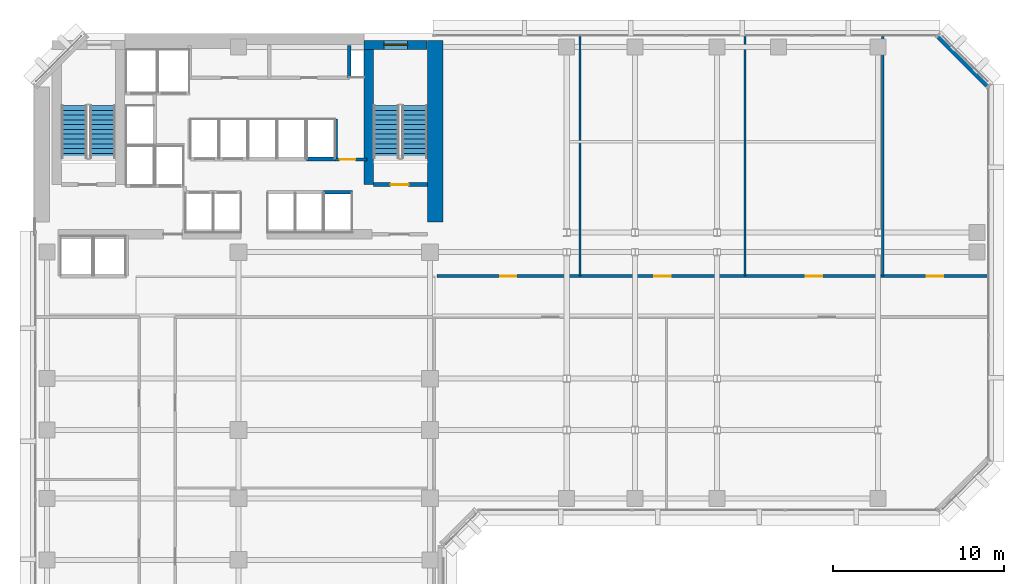
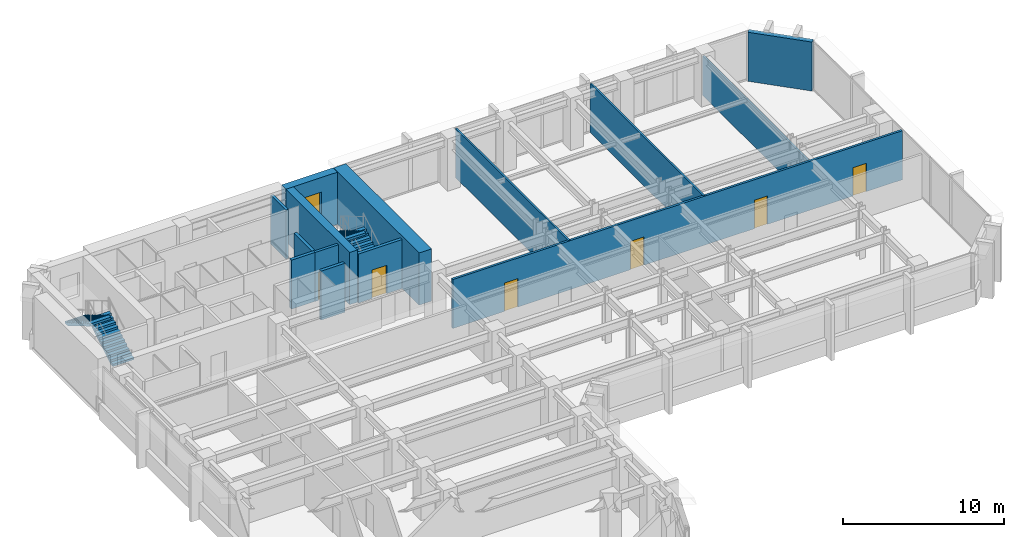
# One storey, part 8 of 13: 14 walls, 6 doors, 4 stair flights, 1 window, 7 openings, 2 elements without a shape of their own.
"""IFC4 building model written with IfcOpenShell, lengths in metres."""

from ifc_helpers import new_model, si_unit, direction, frame, frame_2d, origin, place, context, subcontext, project, spatial, polyline, rectangle, outline, extrude, material, layer, layer_set, type_object, element, fill, aggregate, save


model = new_model("IFC4")

# Units and contexts
model_context = context("Model", 3, precision=1e-05, world=origin(), true_north=direction((0.0, 1.0)))
body_context = subcontext(model_context, "Body", "Model", "MODEL_VIEW")
ifc_project = project(units=[si_unit("LENGTHUNIT", "METRE"), si_unit("AREAUNIT", "SQUARE_METRE"), si_unit("VOLUMEUNIT", "CUBIC_METRE"), si_unit("PLANEANGLEUNIT", "RADIAN"), si_unit("MASSUNIT", "GRAM", prefix="KILO")], contexts=[model_context])

# Site, building, storey
site_placement = place(None, origin())
site = spatial("IfcSite", under=ifc_project, at=site_placement, CompositionType="ELEMENT")
building_placement = place(site_placement, origin())
building = spatial("IfcBuilding", under=site, at=building_placement, Name="Kefirva Bronze Tower", CompositionType="ELEMENT")
storey_placement = place(building_placement, frame((0.0, 0.0, 98.669921875)))
storey = spatial("IfcBuildingStorey", under=building, at=storey_placement, Name="L23", CompositionType="ELEMENT", Elevation=98.669921875)

# Walls
ifc_material_1 = material(Name="Gypsum acoustic partition")
ifc_layer_1 = layer(ifc_material_1, 0.1298828125, Name="Gypsum acoustic partition")
ifc_layer_set_1 = layer_set([ifc_layer_1], Name="Gypsum acoustic partition")
wall_type_1 = type_object("IfcWallType", Name="Acoustic Office Partition 130mm", PredefinedType="PARTITIONING", material=ifc_layer_set_1)
for number, where, z_axis, x_axis, name in (
    (1, (31.974609375, 31.800048828125, 0.0), (0.0, 0.0, 1.0), (0.0, 1.0, 0.0), "L23 Partition W-L23-END1"),
    (2, (41.6376953125, 31.800048828125, 0.0), (0.0, 0.0, 1.0), (0.0, 1.0, 0.0), "L23 Partition W-L23-END2"),
):
    element("IfcWall", number, at=place(storey_placement, frame(where, z_axis=z_axis, x_axis=x_axis)), inside=storey, type_object=wall_type_1, Name=name, PredefinedType="PARTITIONING", context=body_context, shape_type="SweptSolid", body=[
        extrude(rectangle(XDim=14.010009765625, YDim=0.1298828125, at=frame_2d((7.0048828125, 0.0))), origin(), (0.0, 0.0, 1.0), 3.7099609375),
    ])
wall_1_placement = place(storey_placement, frame((49.690185546875, 31.800048828125, 0.0), z_axis=(0.0, 0.0, 1.0), x_axis=(0.0, 1.0, 0.0)))
element("IfcWall", 3, at=wall_1_placement, inside=storey, type_object=wall_type_1, Name="L23 Partition W-L23-END3", PredefinedType="PARTITIONING", context=body_context, shape_type="SweptSolid", body=[
    extrude(rectangle(XDim=14.010009765625, YDim=0.1298828125, at=frame_2d((7.0048828125, 0.0))), origin(), (0.0, 0.0, 1.0), 2.9951171875),
])

# Wall, opening, door
ifc_material_2 = material(Name="Gypsum fireboard shaftwall")
ifc_layer_2 = layer(ifc_material_2, 0.219970703125, Name="Gypsum fireboard shaftwall")
ifc_layer_set_2 = layer_set([ifc_layer_2], Name="Gypsum fireboard shaftwall")
wall_type_2 = type_object("IfcWallType", Name="Fire-Rated Shaft Enclosure Wall 220mm", PredefinedType="PARTITIONING", material=ifc_layer_set_2)
wall_2_placement = place(storey_placement, frame((19.89990234375, 37.14990234375, 0.0), z_axis=(0.0, 0.0, 1.0), x_axis=(1.0, 0.0, 0.0)))
wall_2 = element("IfcWall", 4, at=wall_2_placement, inside=storey, type_object=wall_type_2, Name="L23 Partition W-L23-ST2S", PredefinedType="PARTITIONING", context=body_context, shape_type="SweptSolid", body=[
    extrude(rectangle(XDim=3.150146484375, YDim=0.219970703125, at=frame_2d((1.5751953125, 0.0))), origin(), (0.0, 0.0, 1.0), 3.7099609375),
])
opening_1_placement = place(wall_2_placement, frame((2.050048828125, 0.0, 0.0), z_axis=(0.0, 0.0, 1.0), x_axis=(-1.0, 0.0, 0.0)))
opening_1 = element("IfcOpeningElement", 5, at=opening_1_placement, cuts=wall_2, Name="Opening L23-D003", PredefinedType="OPENING", context=body_context, shape_type="SweptSolid", body=[
    extrude(rectangle(XDim=1.050048828125, YDim=2.14990234375, at=frame_2d((0.52490234375, 1.074951171875))), frame((0.0, 0.1201171875, 0.0), z_axis=(0.0, -1.0, 0.0), x_axis=(1.0, 0.0, 0.0)), (0.0, 0.0, 1.0), 0.239990234375),
])
ifc_material_3 = material(Name="Painted galvanized steel", Category="steel")
door_type_1 = type_object("IfcDoorType", Name="Fire Stair Enclosure Door 1050x2150 FD90S", OperationType="NOTDEFINED", PredefinedType="DOOR", material=ifc_material_3)
door_1_placement = place(opening_1_placement, origin())
door_1 = element("IfcDoor", 6, at=door_1_placement, inside=storey, type_object=door_type_1, Name="Door L23-D003", OperationType="SINGLE_SWING_LEFT", OverallHeight=2.14990234375, OverallWidth=1.050048828125, PredefinedType="DOOR", context=body_context, shape_type="SweptSolid", body=[
    extrude(rectangle(XDim=1.050048828125, YDim=2.14990234375, at=frame_2d((0.52490234375, 1.074951171875))), frame((0.0, 0.02490234375, 0.0), z_axis=(0.0, -1.0, 0.0), x_axis=(1.0, 0.0, 0.0)), (0.0, 0.0, 1.0), 0.050048828125),
])
fill(opening_1, door_1)

# Walls
wall_3_placement = place(storey_placement, frame((17.679931640625, 38.64990234375, 0.0), z_axis=(0.0, 0.0, 1.0), x_axis=(0.0, 1.0, 0.0)))
element("IfcWall", 7, at=wall_3_placement, inside=storey, type_object=wall_type_2, Name="L23 Partition W-L23-HP2E", PredefinedType="PARTITIONING", context=body_context, shape_type="SweptSolid", body=[
    extrude(rectangle(XDim=2.35009765625, YDim=0.199951171875, at=frame_2d((1.175048828125, 0.0))), origin(), (0.0, 0.0, 1.0), 3.7099609375),
])
wall_4_placement = place(storey_placement, frame((16.97998046875, 36.699951171875, 0.0), z_axis=(0.0, 0.0, 1.0), x_axis=(1.0, 0.0, 0.0)))
element("IfcWall", 8, at=wall_4_placement, inside=storey, type_object=wall_type_2, Name="L23 Partition W-L23-HPS", PredefinedType="PARTITIONING", context=body_context, shape_type="SweptSolid", body=[
    extrude(rectangle(XDim=1.699951171875, YDim=0.219970703125, at=frame_2d((0.85009765625, 0.0))), origin(), (0.0, 0.0, 1.0), 3.7099609375),
])
wall_5_placement = place(storey_placement, frame((15.97998046875, 38.64990234375, 0.0), z_axis=(0.0, 0.0, 1.0), x_axis=(1.0, 0.0, 0.0)))
element("IfcWall", 9, at=wall_5_placement, inside=storey, type_object=wall_type_2, Name="L23 Partition W-L23-HPN", PredefinedType="PARTITIONING", context=body_context, shape_type="SweptSolid", body=[
    extrude(rectangle(XDim=1.719970703125, YDim=0.219970703125, at=frame_2d((0.85986328125, 0.0))), origin(), (0.0, 0.0, 1.0), 3.7099609375),
])

# Wall, opening, door
ifc_material_4 = material(Name="Gypsum fireboard barrier")
ifc_layer_3 = layer(ifc_material_4, 0.199951171875, Name="Gypsum fireboard barrier")
ifc_layer_set_3 = layer_set([ifc_layer_3], Name="Gypsum fireboard barrier")
wall_type_3 = type_object("IfcWallType", Name="Firefighting Lobby Barrier Wall 200mm", PredefinedType="PARTITIONING", material=ifc_layer_set_3)
wall_6_placement = place(storey_placement, frame((17.679931640625, 38.6201171875, 0.0), z_axis=(0.0, 0.0, 1.0), x_axis=(1.0, 0.0, 0.0)))
wall_6 = element("IfcWall", 10, at=wall_6_placement, inside=storey, type_object=wall_type_3, Name="L23 Partition W-L23-CPASS", PredefinedType="PARTITIONING", context=body_context, shape_type="SweptSolid", body=[
    extrude(rectangle(XDim=1.840087890625, YDim=0.179931640625, at=frame_2d((0.919921875, 0.0))), origin(), (0.0, 0.0, 1.0), 3.7099609375),
])
opening_2_placement = place(wall_6_placement, frame((0.239990234375, 0.0, 0.0)))
opening_2 = element("IfcOpeningElement", 11, at=opening_2_placement, cuts=wall_6, Name="Opening L23-D-CPAS", PredefinedType="OPENING", context=body_context, shape_type="SweptSolid", body=[
    extrude(rectangle(XDim=0.919921875, YDim=2.10009765625, at=frame_2d((0.4599609375, 1.050048828125))), frame((0.0, 0.10009765625, 0.0), z_axis=(0.0, -1.0, 0.0), x_axis=(1.0, 0.0, 0.0)), (0.0, 0.0, 1.0), 0.199951171875),
])
ifc_material_5 = material(Name="Moisture-resistant timber", Category="wood")
door_type_2 = type_object("IfcDoorType", Name="Accessible Sanitary & WC Door 920x2100", OperationType="NOTDEFINED", PredefinedType="DOOR", material=ifc_material_5)
door_2_placement = place(opening_2_placement, origin())
door_2 = element("IfcDoor", 12, at=door_2_placement, inside=storey, type_object=door_type_2, Name="Door L23-D-CPAS", OperationType="SINGLE_SWING_LEFT", OverallHeight=2.10009765625, OverallWidth=0.919921875, PredefinedType="DOOR", context=body_context, shape_type="SweptSolid", body=[
    extrude(rectangle(XDim=0.919921875, YDim=2.10009765625, at=frame_2d((0.4599609375, 1.050048828125))), frame((0.0, 0.02490234375, 0.0), z_axis=(0.0, -1.0, 0.0), x_axis=(1.0, 0.0, 0.0)), (0.0, 0.0, 1.0), 0.050048828125),
])
fill(opening_2, door_2)

# Wall
ifc_material_6 = material(Name="Precast concrete C40/50", Category="concrete")
ifc_layer_4 = layer(ifc_material_6, 0.320068359375, Name="Precast concrete C40/50")
ifc_layer_set_4 = layer_set([ifc_layer_4], Name="Precast concrete C40/50")
wall_type_4 = type_object("IfcWallType", Name="Precast Insulated Exterior Wall 320mm", PredefinedType="SOLIDWALL", material=ifc_layer_set_4)
wall_7_placement = place(storey_placement, frame((55.847900390625, 42.92578125, 0.0), z_axis=(0.0, 0.0, 1.0), x_axis=(-0.707106781187, 0.707106781187, 0.0)))
element("IfcWall", 13, at=wall_7_placement, inside=storey, type_object=wall_type_4, Name="L23 Exterior Facade Wall 5", PredefinedType="SOLIDWALL", context=body_context, shape_type="SweptSolid", body=[
    extrude(rectangle(XDim=4.132568359375, YDim=0.320068359375, at=frame_2d((2.06640625, 0.0))), origin(), (0.0, 0.0, 1.0), 3.7099609375),
])

# Wall, openings, doors
ifc_layer_5 = layer(ifc_material_1, 0.159912109375, Name="Gypsum acoustic partition")
ifc_layer_set_5 = layer_set([ifc_layer_5], Name="Gypsum acoustic partition")
wall_type_5 = type_object("IfcWallType", Name="Protected Corridor Partition 160mm", PredefinedType="PARTITIONING", material=ifc_layer_set_5)
wall_8_placement = place(storey_placement, frame((23.60009765625, 31.800048828125, 0.0), z_axis=(0.0, 0.0, 1.0), x_axis=(1.0, 0.0, 0.0)))
wall_8 = element("IfcWall", 14, at=wall_8_placement, inside=storey, type_object=wall_type_5, Name="L23 Partition W-L23-EWN", PredefinedType="PARTITIONING", context=body_context, shape_type="SweptSolid", body=[
    extrude(rectangle(XDim=32.2099609375, YDim=0.159912109375, at=frame_2d((16.10498046875, 0.0))), origin(), (0.0, 0.0, 1.0), 3.7099609375),
])
opening_3_placement = place(wall_8_placement, frame((3.71240234375, 0.0, 0.0)))
opening_3 = element("IfcOpeningElement", 15, at=opening_3_placement, cuts=wall_8, Name="Opening L23-D-EN1", PredefinedType="OPENING", context=body_context, shape_type="SweptSolid", body=[
    extrude(rectangle(XDim=0.949951171875, YDim=2.14990234375, at=frame_2d((0.47509765625, 1.074951171875))), frame((0.0, 0.08984375, 0.0), z_axis=(0.0, -1.0, 0.0), x_axis=(1.0, 0.0, 0.0)), (0.0, 0.0, 1.0), 0.179931640625),
])
opening_4_placement = place(wall_8_placement, frame((12.731201171875, 0.0, 0.0)))
opening_4 = element("IfcOpeningElement", 16, at=opening_4_placement, cuts=wall_8, Name="Opening L23-D-EN2", PredefinedType="OPENING", context=body_context, shape_type="SweptSolid", body=[
    extrude(rectangle(XDim=0.949951171875, YDim=2.14990234375, at=frame_2d((0.47509765625, 1.074951171875))), frame((0.0, 0.08984375, 0.0), z_axis=(0.0, -1.0, 0.0), x_axis=(1.0, 0.0, 0.0)), (0.0, 0.0, 1.0), 0.179931640625),
])
opening_5_placement = place(wall_8_placement, frame((21.5888671875, 0.0, 0.0)))
opening_5 = element("IfcOpeningElement", 17, at=opening_5_placement, cuts=wall_8, Name="Opening L23-D-EN3", PredefinedType="OPENING", context=body_context, shape_type="SweptSolid", body=[
    extrude(rectangle(XDim=0.949951171875, YDim=2.14990234375, at=frame_2d((0.47509765625, 1.074951171875))), frame((0.0, 0.08984375, 0.0), z_axis=(0.0, -1.0, 0.0), x_axis=(1.0, 0.0, 0.0)), (0.0, 0.0, 1.0), 0.179931640625),
])
opening_6_placement = place(wall_8_placement, frame((28.675048828125, 0.0, 0.0)))
opening_6 = element("IfcOpeningElement", 18, at=opening_6_placement, cuts=wall_8, Name="Opening L23-D-EN4", PredefinedType="OPENING", context=body_context, shape_type="SweptSolid", body=[
    extrude(rectangle(XDim=0.949951171875, YDim=2.14990234375, at=frame_2d((0.47509765625, 1.074951171875))), frame((0.0, 0.08984375, 0.0), z_axis=(0.0, -1.0, 0.0), x_axis=(1.0, 0.0, 0.0)), (0.0, 0.0, 1.0), 0.179931640625),
])
ifc_material_7 = material(Name="Acoustic hardwood oak", Category="wood")
door_type_3 = type_object("IfcDoorType", Name="Office & Meeting Room Door 950x2150", OperationType="NOTDEFINED", PredefinedType="DOOR", material=ifc_material_7)
door_3_placement = place(opening_3_placement, origin())
door_3 = element("IfcDoor", 19, at=door_3_placement, inside=storey, type_object=door_type_3, Name="Door L23-D-EN1", OperationType="SINGLE_SWING_LEFT", OverallHeight=2.14990234375, OverallWidth=0.949951171875, PredefinedType="DOOR", context=body_context, shape_type="SweptSolid", body=[
    extrude(rectangle(XDim=0.949951171875, YDim=2.14990234375, at=frame_2d((0.47509765625, 1.074951171875))), frame((0.0, 0.02490234375, 0.0), z_axis=(0.0, -1.0, 0.0), x_axis=(1.0, 0.0, 0.0)), (0.0, 0.0, 1.0), 0.050048828125),
])
fill(opening_3, door_3)
door_4_placement = place(opening_4_placement, origin())
door_4 = element("IfcDoor", 20, at=door_4_placement, inside=storey, type_object=door_type_3, Name="Door L23-D-EN2", OperationType="SINGLE_SWING_RIGHT", OverallHeight=2.14990234375, OverallWidth=0.949951171875, PredefinedType="DOOR", context=body_context, shape_type="SweptSolid", body=[
    extrude(rectangle(XDim=0.949951171875, YDim=2.14990234375, at=frame_2d((0.47509765625, 1.074951171875))), frame((0.0, 0.02490234375, 0.0), z_axis=(0.0, -1.0, 0.0), x_axis=(1.0, 0.0, 0.0)), (0.0, 0.0, 1.0), 0.050048828125),
])
fill(opening_4, door_4)
door_5_placement = place(opening_5_placement, origin())
door_5 = element("IfcDoor", 21, at=door_5_placement, inside=storey, type_object=door_type_3, Name="Door L23-D-EN3", OperationType="SINGLE_SWING_LEFT", OverallHeight=2.14990234375, OverallWidth=0.949951171875, PredefinedType="DOOR", context=body_context, shape_type="SweptSolid", body=[
    extrude(rectangle(XDim=0.949951171875, YDim=2.14990234375, at=frame_2d((0.47509765625, 1.074951171875))), frame((0.0, 0.02490234375, 0.0), z_axis=(0.0, -1.0, 0.0), x_axis=(1.0, 0.0, 0.0)), (0.0, 0.0, 1.0), 0.050048828125),
])
fill(opening_5, door_5)
door_6_placement = place(opening_6_placement, origin())
door_6 = element("IfcDoor", 22, at=door_6_placement, inside=storey, type_object=door_type_3, Name="Door L23-D-EN4", OperationType="SINGLE_SWING_RIGHT", OverallHeight=2.14990234375, OverallWidth=0.949951171875, PredefinedType="DOOR", context=body_context, shape_type="SweptSolid", body=[
    extrude(rectangle(XDim=0.949951171875, YDim=2.14990234375, at=frame_2d((0.47509765625, 1.074951171875))), frame((0.0, 0.02490234375, 0.0), z_axis=(0.0, -1.0, 0.0), x_axis=(1.0, 0.0, 0.0)), (0.0, 0.0, 1.0), 0.050048828125),
])
fill(opening_6, door_6)

# Wall, opening, window
ifc_material_8 = material(Name="Concrete C50/60", Category="concrete")
ifc_layer_6 = layer(ifc_material_8, 0.550048828125, Name="Concrete C50/60")
ifc_layer_set_6 = layer_set([ifc_layer_6], Name="Concrete C50/60")
wall_type_6 = type_object("IfcWallType", Name="RC Rear Core Exterior Wall 550mm", PredefinedType="SHEAR", material=ifc_layer_set_6)
wall_9_placement = place(storey_placement, frame((19.35009765625, 45.320068359375, 0.0), z_axis=(0.0, 0.0, 1.0), x_axis=(1.0, 0.0, 0.0)))
wall_9 = element("IfcWall", 23, at=wall_9_placement, inside=storey, type_object=wall_type_6, Name="L23 Stair 2 North Shear Wall", PredefinedType="SHEAR", context=body_context, shape_type="SweptSolid", body=[
    extrude(rectangle(XDim=3.68994140625, YDim=0.550048828125, at=frame_2d((1.844970703125, 0.0))), origin(), (0.0, 0.0, 1.0), 3.9599609375),
])
opening_7_placement = place(wall_9_placement, frame((1.14990234375, 0.0, 1.050048828125)))
opening_7 = element("IfcOpeningElement", 24, at=opening_7_placement, cuts=wall_9, Name="Opening WN-03", PredefinedType="OPENING", context=body_context, shape_type="SweptSolid", body=[
    extrude(rectangle(XDim=1.39990234375, YDim=1.800048828125, at=frame_2d((0.699951171875, 0.89990234375))), frame((0.0, 0.28515625, 0.0), z_axis=(0.0, -1.0, 0.0), x_axis=(1.0, 0.0, 0.0)), (0.0, 0.0, 1.0), 0.570068359375),
])
ifc_material_9 = material(Name="Laminated low-E double glazing", Category="glass")
window_type = type_object("IfcWindowType", Name="Rear-Core Stair Daylight Window 1400x1800", PartitioningType="SINGLE_PANEL", PredefinedType="WINDOW", material=ifc_material_9)
window_placement = place(opening_7_placement, origin())
window = element("IfcWindow", 25, at=window_placement, inside=storey, type_object=window_type, Name="L23 Stair 2 Daylight Window", OverallHeight=1.800048828125, OverallWidth=1.39990234375, PartitioningType="SINGLE_PANEL", PredefinedType="WINDOW", context=body_context, shape_type="SweptSolid", body=[
    extrude(rectangle(XDim=1.39990234375, YDim=1.800048828125, at=frame_2d((0.699951171875, 0.89990234375))), frame((0.0, 0.030029296875, 0.0), z_axis=(0.0, -1.0, 0.0), x_axis=(1.0, 0.0, 0.0)), (0.0, 0.0, 1.0), 0.06005859375),
])
fill(opening_7, window)

# Walls
ifc_layer_7 = layer(ifc_material_8, 0.550048828125, Name="Concrete C50/60")
ifc_layer_set_7 = layer_set([ifc_layer_7], Name="Concrete C50/60")
wall_type_7 = type_object("IfcWallType", Name="RC Rear Core Interior Wall 550mm", PredefinedType="SHEAR", material=ifc_layer_set_7)
wall_10_placement = place(storey_placement, frame((19.6201171875, 37.14990234375, 0.0), z_axis=(0.0, 0.0, 1.0), x_axis=(0.0, 1.0, 0.0)))
element("IfcWall", 26, at=wall_10_placement, inside=storey, type_object=wall_type_7, Name="L23 Stair 2 West Shear Wall", PredefinedType="SHEAR", context=body_context, shape_type="SweptSolid", body=[
    extrude(rectangle(XDim=7.89013671875, YDim=0.550048828125, at=frame_2d((3.945068359375, 0.0))), origin(), (0.0, 0.0, 1.0), 3.9599609375),
])
ifc_material_10 = material(Name="Concrete C60/75", Category="concrete")
ifc_layer_8 = layer(ifc_material_10, 0.89990234375, Name="Concrete C60/75")
ifc_layer_set_8 = layer_set([ifc_layer_8], Name="Concrete C60/75")
wall_type_8 = type_object("IfcWallType", Name="RC Rear Core Interior Wall 900mm", PredefinedType="SHEAR", material=ifc_layer_set_8)
wall_11_placement = place(storey_placement, frame((23.5, 34.949951171875, 0.0), z_axis=(0.0, 0.0, 1.0), x_axis=(0.0, 1.0, 0.0)))
element("IfcWall", 27, at=wall_11_placement, inside=storey, type_object=wall_type_8, Name="L23 Rear Core East Shear Wall", PredefinedType="SHEAR", context=body_context, shape_type="SweptSolid", body=[
    extrude(rectangle(XDim=10.64013671875, YDim=0.89990234375, at=frame_2d((5.320068359375, 0.0))), origin(), (0.0, 0.0, 1.0), 3.9599609375),
])
ifc_material_11 = material(Name="Moisture-resistant partition")
ifc_layer_9 = layer(ifc_material_11, 0.179931640625, Name="Moisture-resistant partition")
ifc_layer_set_9 = layer_set([ifc_layer_9], Name="Moisture-resistant partition")
wall_type_9 = type_object("IfcWallType", Name="Sanitary Plumbing Chase Wall 180mm", PredefinedType="PLUMBINGWALL", material=ifc_layer_set_9)
wall_12_placement = place(storey_placement, frame((18.47998046875, 43.39990234375, 0.0), z_axis=(0.0, 0.0, 1.0), x_axis=(0.0, 1.0, 0.0)))
element("IfcWall", 28, at=wall_12_placement, inside=storey, type_object=wall_type_9, Name="L23 Partition W-L23-SVCE", PredefinedType="PLUMBINGWALL", context=body_context, shape_type="SweptSolid", body=[
    extrude(rectangle(XDim=1.880126953125, YDim=0.179931640625, at=frame_2d((0.93994140625, 0.0))), origin(), (0.0, 0.0, 1.0), 3.7099609375),
])

# Stair, stair flights
ifc_material_12 = material(Name="Concrete C40/50", Category="concrete")
stair_type = type_object("IfcStairType", Name="RC Dogleg Protected Stair 24R", PredefinedType="HALF_TURN_STAIR", material=ifc_material_12)
stair_1_placement = place(storey_placement, origin())
stair_1 = element("IfcStair", 29, at=stair_1_placement, inside=storey, type_object=stair_type, Name="L23 Protected Exit Stair 1", PredefinedType="HALF_TURN_STAIR")
stair_flight_type = type_object("IfcStairFlightType", Name="RC Straight Stair Flight 24R", PredefinedType="STRAIGHT", material=ifc_material_12)
stair_flight_1_placement = place(storey_placement, frame((4.050048828125, 38.699951171875, 0.0), z_axis=(0.0, 0.0, 1.0), x_axis=(0.0, 1.0, 0.0)))
stair_flight_1 = element("IfcStairFlight", 30, at=stair_flight_1_placement, type_object=stair_flight_type, Name="ST-1 flight 1", NumberOfRisers=12, NumberOfTreads=11, PredefinedType="STRAIGHT", RiserHeight=0.165, TreadLength=0.28, context=body_context, shape_type="SweptSolid", body=[
    extrude(outline(polyline([(0.0, 0.0), (0.0, 0.1650390625), (0.280029296875, 0.1650390625), (0.280029296875, 0.330078125), (0.56005859375, 0.330078125), (0.56005859375, 0.4951171875), (0.840087890625, 0.4951171875), (0.840087890625, 0.659912109375), (1.1201171875, 0.659912109375), (1.1201171875, 0.824951171875), (1.39990234375, 0.824951171875), (1.39990234375, 0.989990234375), (1.679931640625, 0.989990234375), (1.679931640625, 1.155029296875), (1.9599609375, 1.155029296875), (1.9599609375, 1.320068359375), (2.239990234375, 1.320068359375), (2.239990234375, 1.485107421875), (2.52001953125, 1.485107421875), (2.52001953125, 1.64990234375), (2.800048828125, 1.64990234375), (2.800048828125, 1.81494140625), (3.080078125, 1.81494140625), (3.080078125, 1.97998046875), (3.080078125, 1.64111328125), (0.295166015625, 0.0), (0.0, 0.0)])), frame((0.0, 0.75, 0.0), z_axis=(0.0, -1.0, 0.0), x_axis=(1.0, 0.0, 0.0)), (0.0, 0.0, 1.0), 1.5),
])
stair_flight_2_placement = place(storey_placement, frame((2.39990234375, 41.780029296875, 1.97998046875), z_axis=(0.0, 0.0, 1.0), x_axis=(0.0, -1.0, 0.0)))
stair_flight_2 = element("IfcStairFlight", 31, at=stair_flight_2_placement, type_object=stair_flight_type, Name="ST-1 flight 2", NumberOfRisers=12, NumberOfTreads=11, PredefinedType="STRAIGHT", RiserHeight=0.165, TreadLength=0.28, context=body_context, shape_type="SweptSolid", body=[
    extrude(outline(polyline([(0.0, 0.0), (0.0, 0.1650390625), (0.280029296875, 0.1650390625), (0.280029296875, 0.330078125), (0.56005859375, 0.330078125), (0.56005859375, 0.4951171875), (0.840087890625, 0.4951171875), (0.840087890625, 0.659912109375), (1.1201171875, 0.659912109375), (1.1201171875, 0.824951171875), (1.39990234375, 0.824951171875), (1.39990234375, 0.989990234375), (1.679931640625, 0.989990234375), (1.679931640625, 1.155029296875), (1.9599609375, 1.155029296875), (1.9599609375, 1.320068359375), (2.239990234375, 1.320068359375), (2.239990234375, 1.485107421875), (2.52001953125, 1.485107421875), (2.52001953125, 1.64990234375), (2.800048828125, 1.64990234375), (2.800048828125, 1.81494140625), (3.080078125, 1.81494140625), (3.080078125, 1.97998046875), (3.080078125, 1.64111328125), (0.295166015625, 0.0), (0.0, 0.0)])), frame((0.0, 0.75, 0.0), z_axis=(0.0, -1.0, 0.0), x_axis=(1.0, 0.0, 0.0)), (0.0, 0.0, 1.0), 1.5),
])
aggregate(stair_1, [stair_flight_1, stair_flight_2])

stair_2_placement = place(storey_placement, origin())
stair_2 = element("IfcStair", 32, at=stair_2_placement, inside=storey, type_object=stair_type, Name="L23 Protected Exit Stair 2", PredefinedType="HALF_TURN_STAIR")
stair_flight_3_placement = place(storey_placement, frame((22.300048828125, 38.699951171875, 0.0), z_axis=(0.0, 0.0, 1.0), x_axis=(0.0, 1.0, 0.0)))
stair_flight_3 = element("IfcStairFlight", 33, at=stair_flight_3_placement, type_object=stair_flight_type, Name="ST-2 flight 1", NumberOfRisers=12, NumberOfTreads=11, PredefinedType="STRAIGHT", RiserHeight=0.165, TreadLength=0.28, context=body_context, shape_type="SweptSolid", body=[
    extrude(outline(polyline([(0.0, 0.0), (0.0, 0.1650390625), (0.280029296875, 0.1650390625), (0.280029296875, 0.330078125), (0.56005859375, 0.330078125), (0.56005859375, 0.4951171875), (0.840087890625, 0.4951171875), (0.840087890625, 0.659912109375), (1.1201171875, 0.659912109375), (1.1201171875, 0.824951171875), (1.39990234375, 0.824951171875), (1.39990234375, 0.989990234375), (1.679931640625, 0.989990234375), (1.679931640625, 1.155029296875), (1.9599609375, 1.155029296875), (1.9599609375, 1.320068359375), (2.239990234375, 1.320068359375), (2.239990234375, 1.485107421875), (2.52001953125, 1.485107421875), (2.52001953125, 1.64990234375), (2.800048828125, 1.64990234375), (2.800048828125, 1.81494140625), (3.080078125, 1.81494140625), (3.080078125, 1.97998046875), (3.080078125, 1.64111328125), (0.295166015625, 0.0), (0.0, 0.0)])), frame((0.0, 0.75, 0.0), z_axis=(0.0, -1.0, 0.0), x_axis=(1.0, 0.0, 0.0)), (0.0, 0.0, 1.0), 1.5),
])
stair_flight_4_placement = place(storey_placement, frame((20.64990234375, 41.780029296875, 1.97998046875), z_axis=(0.0, 0.0, 1.0), x_axis=(0.0, -1.0, 0.0)))
stair_flight_4 = element("IfcStairFlight", 34, at=stair_flight_4_placement, type_object=stair_flight_type, Name="ST-2 flight 2", NumberOfRisers=12, NumberOfTreads=11, PredefinedType="STRAIGHT", RiserHeight=0.165, TreadLength=0.28, context=body_context, shape_type="SweptSolid", body=[
    extrude(outline(polyline([(0.0, 0.0), (0.0, 0.1650390625), (0.280029296875, 0.1650390625), (0.280029296875, 0.330078125), (0.56005859375, 0.330078125), (0.56005859375, 0.4951171875), (0.840087890625, 0.4951171875), (0.840087890625, 0.659912109375), (1.1201171875, 0.659912109375), (1.1201171875, 0.824951171875), (1.39990234375, 0.824951171875), (1.39990234375, 0.989990234375), (1.679931640625, 0.989990234375), (1.679931640625, 1.155029296875), (1.9599609375, 1.155029296875), (1.9599609375, 1.320068359375), (2.239990234375, 1.320068359375), (2.239990234375, 1.485107421875), (2.52001953125, 1.485107421875), (2.52001953125, 1.64990234375), (2.800048828125, 1.64990234375), (2.800048828125, 1.81494140625), (3.080078125, 1.81494140625), (3.080078125, 1.97998046875), (3.080078125, 1.64111328125), (0.295166015625, 0.0), (0.0, 0.0)])), frame((0.0, 0.75, 0.0), z_axis=(0.0, -1.0, 0.0), x_axis=(1.0, 0.0, 0.0)), (0.0, 0.0, 1.0), 1.5),
])
aggregate(stair_2, [stair_flight_3, stair_flight_4])

save(model, "model.ifc")
